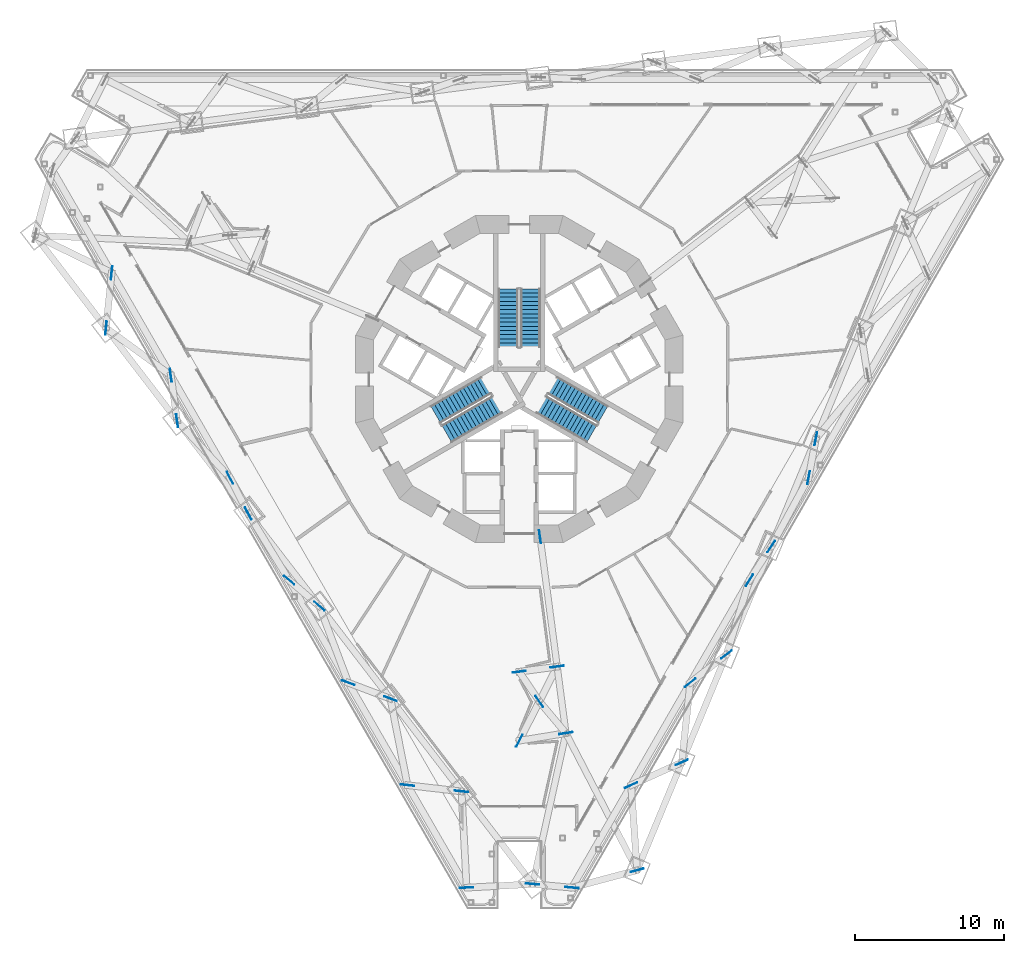
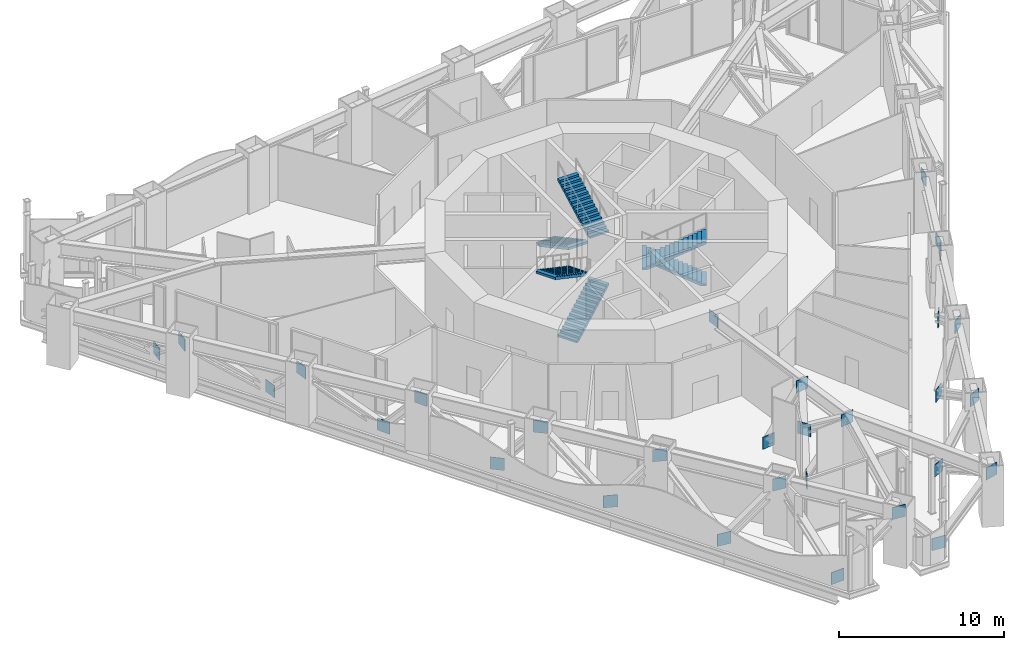
# One storey, part 17 of 28: 30 discrete accessories, 6 stair flights, 3 elements without a shape of their own.
"""IFC4 building model written with IfcOpenShell, lengths in metres."""

from ifc_helpers import new_model, si_unit, direction, frame, origin, origin_2d, place, context, subcontext, project, spatial, polyline, rectangle, outline, extrude, material, type_object, element, aggregate, save


model = new_model("IFC4")

# Units and contexts
model_context = context("Model", 3, precision=1e-05, world=origin(), true_north=direction((0.0, 1.0)))
body_context = subcontext(model_context, "Body", "Model", "MODEL_VIEW")
ifc_project = project(units=[si_unit("LENGTHUNIT", "METRE"), si_unit("AREAUNIT", "SQUARE_METRE"), si_unit("VOLUMEUNIT", "CUBIC_METRE"), si_unit("PLANEANGLEUNIT", "RADIAN"), si_unit("MASSUNIT", "GRAM", prefix="KILO")], contexts=[model_context])

# Site, building, storey
site_placement = place(None, origin())
site = spatial("IfcSite", under=ifc_project, at=site_placement, CompositionType="ELEMENT")
building_placement = place(site_placement, origin())
building = spatial("IfcBuilding", under=site, at=building_placement, Name="Trine Commons Tower", CompositionType="ELEMENT")
storey_placement = place(building_placement, frame((0.0, 0.0, 45.89990234375)))
storey = spatial("IfcBuildingStorey", under=building, at=storey_placement, Name="L10", CompositionType="ELEMENT", Elevation=45.89990234375)

# Stair, stair flights
ifc_material_1 = material(Name="Concrete C50/60", Category="concrete")
stair_type = type_object("IfcStairType", Name="Exit stair, dog-leg, 30 risers of 150 mm", PredefinedType="HALF_TURN_STAIR", material=ifc_material_1)
stair_1_placement = place(storey_placement, origin())
stair_1 = element("IfcStair", 1, at=stair_1_placement, inside=storey, type_object=stair_type, Name="L10 Exit stair ST1A", PredefinedType="HALF_TURN_STAIR")
stair_flight_type = type_object("IfcStairFlightType", Name="Stair flight, 1350 wide, 15 risers of 150 mm", PredefinedType="STRAIGHT", material=ifc_material_1)
stair_flight_1_placement = place(storey_placement, frame((79.25, 68.570556640625, 0.0), z_axis=(0.0, 0.0, 1.0), x_axis=(0.0, -1.0, 0.0)))
stair_flight_1 = element("IfcStairFlight", 2, at=stair_flight_1_placement, type_object=stair_flight_type, Name="ST1A flight 1", NumberOfRisers=15, NumberOfTreads=14, PredefinedType="STRAIGHT", RiserHeight=0.15, TreadLength=0.28, context=body_context, shape_type="SweptSolid", body=[
    extrude(outline(polyline([(0.0, 0.0), (0.0, 0.14990234375), (0.280029296875, 0.14990234375), (0.280029296875, 0.300048828125), (0.56005859375, 0.300048828125), (0.56005859375, 0.449951171875), (0.840087890625, 0.449951171875), (0.840087890625, 0.60009765625), (1.1201171875, 0.60009765625), (1.1201171875, 0.75), (1.39990234375, 0.75), (1.39990234375, 0.89990234375), (1.679931640625, 0.89990234375), (1.679931640625, 1.050048828125), (1.9599609375, 1.050048828125), (1.9599609375, 1.199951171875), (2.239990234375, 1.199951171875), (2.239990234375, 1.35009765625), (2.52001953125, 1.35009765625), (2.52001953125, 1.5), (2.800048828125, 1.5), (2.800048828125, 1.64990234375), (3.080078125, 1.64990234375), (3.080078125, 1.800048828125), (3.360107421875, 1.800048828125), (3.360107421875, 1.949951171875), (3.639892578125, 1.949951171875), (3.639892578125, 2.10009765625), (3.919921875, 2.10009765625), (3.919921875, 2.25), (3.919921875, 1.929931640625), (0.3173828125, 0.0), (0.0, 0.0)])), frame((0.0, 0.675048828125, 0.0), z_axis=(0.0, -1.0, 0.0), x_axis=(1.0, 0.0, 0.0)), (0.0, 0.0, 1.0), 1.35009765625),
])
stair_flight_2_placement = place(storey_placement, frame((80.75, 64.650634765625, 2.25), z_axis=(0.0, 0.0, 1.0), x_axis=(0.0, 1.0, 0.0)))
stair_flight_2 = element("IfcStairFlight", 3, at=stair_flight_2_placement, type_object=stair_flight_type, Name="ST1A flight 2", NumberOfRisers=15, NumberOfTreads=14, PredefinedType="STRAIGHT", RiserHeight=0.15, TreadLength=0.28, context=body_context, shape_type="SweptSolid", body=[
    extrude(outline(polyline([(0.0, 0.0), (0.0, 0.14990234375), (0.280029296875, 0.14990234375), (0.280029296875, 0.300048828125), (0.56005859375, 0.300048828125), (0.56005859375, 0.449951171875), (0.840087890625, 0.449951171875), (0.840087890625, 0.60009765625), (1.1201171875, 0.60009765625), (1.1201171875, 0.75), (1.39990234375, 0.75), (1.39990234375, 0.89990234375), (1.679931640625, 0.89990234375), (1.679931640625, 1.050048828125), (1.9599609375, 1.050048828125), (1.9599609375, 1.199951171875), (2.239990234375, 1.199951171875), (2.239990234375, 1.35009765625), (2.52001953125, 1.35009765625), (2.52001953125, 1.5), (2.800048828125, 1.5), (2.800048828125, 1.64990234375), (3.080078125, 1.64990234375), (3.080078125, 1.800048828125), (3.360107421875, 1.800048828125), (3.360107421875, 1.949951171875), (3.639892578125, 1.949951171875), (3.639892578125, 2.10009765625), (3.919921875, 2.10009765625), (3.919921875, 2.25), (3.919921875, 1.929931640625), (0.3173828125, 0.0), (0.0, 0.0)])), frame((0.0, 0.675048828125, 0.0), z_axis=(0.0, -1.0, 0.0), x_axis=(1.0, 0.0, 0.0)), (0.0, 0.0, 1.0), 1.35009765625),
])
aggregate(stair_1, [stair_flight_1, stair_flight_2])

stair_2_placement = place(storey_placement, origin())
stair_2 = element("IfcStair", 4, at=stair_2_placement, inside=storey, type_object=stair_type, Name="L10 Exit stair ST2A", PredefinedType="HALF_TURN_STAIR")
stair_flight_3_placement = place(storey_placement, frame((75.11767578125, 58.815185546875, 0.0), z_axis=(0.0, 0.0, 1.0), x_axis=(0.866025403784, 0.5, 0.0)))
stair_flight_3 = element("IfcStairFlight", 5, at=stair_flight_3_placement, type_object=stair_flight_type, Name="ST2A flight 1", NumberOfRisers=15, NumberOfTreads=14, PredefinedType="STRAIGHT", RiserHeight=0.15, TreadLength=0.28, context=body_context, shape_type="SweptSolid", body=[
    extrude(outline(polyline([(0.0, 0.0), (0.0, 0.14990234375), (0.280029296875, 0.14990234375), (0.280029296875, 0.300048828125), (0.56005859375, 0.300048828125), (0.56005859375, 0.449951171875), (0.840087890625, 0.449951171875), (0.840087890625, 0.60009765625), (1.1201171875, 0.60009765625), (1.1201171875, 0.75), (1.39990234375, 0.75), (1.39990234375, 0.89990234375), (1.679931640625, 0.89990234375), (1.679931640625, 1.050048828125), (1.9599609375, 1.050048828125), (1.9599609375, 1.199951171875), (2.239990234375, 1.199951171875), (2.239990234375, 1.35009765625), (2.52001953125, 1.35009765625), (2.52001953125, 1.5), (2.800048828125, 1.5), (2.800048828125, 1.64990234375), (3.080078125, 1.64990234375), (3.080078125, 1.800048828125), (3.360107421875, 1.800048828125), (3.360107421875, 1.949951171875), (3.639892578125, 1.949951171875), (3.639892578125, 2.10009765625), (3.919921875, 2.10009765625), (3.919921875, 2.25), (3.919921875, 1.929931640625), (0.3173828125, 0.0), (0.0, 0.0)])), frame((0.0, 0.675048828125, 0.0), z_axis=(0.0, -1.0, 0.0), x_axis=(1.0, 0.0, 0.0)), (0.0, 0.0, 1.0), 1.35009765625),
])
stair_flight_4_placement = place(storey_placement, frame((77.762451171875, 62.07421875, 2.25), z_axis=(0.0, 0.0, 1.0), x_axis=(-0.866025403784, -0.5, 0.0)))
stair_flight_4 = element("IfcStairFlight", 6, at=stair_flight_4_placement, type_object=stair_flight_type, Name="ST2A flight 2", NumberOfRisers=15, NumberOfTreads=14, PredefinedType="STRAIGHT", RiserHeight=0.15, TreadLength=0.28, context=body_context, shape_type="SweptSolid", body=[
    extrude(outline(polyline([(0.0, 0.0), (0.0, 0.14990234375), (0.280029296875, 0.14990234375), (0.280029296875, 0.300048828125), (0.56005859375, 0.300048828125), (0.56005859375, 0.449951171875), (0.840087890625, 0.449951171875), (0.840087890625, 0.60009765625), (1.1201171875, 0.60009765625), (1.1201171875, 0.75), (1.39990234375, 0.75), (1.39990234375, 0.89990234375), (1.679931640625, 0.89990234375), (1.679931640625, 1.050048828125), (1.9599609375, 1.050048828125), (1.9599609375, 1.199951171875), (2.239990234375, 1.199951171875), (2.239990234375, 1.35009765625), (2.52001953125, 1.35009765625), (2.52001953125, 1.5), (2.800048828125, 1.5), (2.800048828125, 1.64990234375), (3.080078125, 1.64990234375), (3.080078125, 1.800048828125), (3.360107421875, 1.800048828125), (3.360107421875, 1.949951171875), (3.639892578125, 1.949951171875), (3.639892578125, 2.10009765625), (3.919921875, 2.10009765625), (3.919921875, 2.25), (3.919921875, 1.929931640625), (0.3173828125, 0.0), (0.0, 0.0)])), frame((0.0, 0.675048828125, 0.0), z_axis=(0.0, -1.0, 0.0), x_axis=(1.0, 0.0, 0.0)), (0.0, 0.0, 1.0), 1.35009765625),
])
aggregate(stair_2, [stair_flight_3, stair_flight_4])

stair_3_placement = place(storey_placement, origin())
stair_3 = element("IfcStair", 7, at=stair_3_placement, inside=storey, type_object=stair_type, Name="L10 Exit stair ST3A", PredefinedType="HALF_TURN_STAIR")
stair_flight_5_placement = place(storey_placement, frame((85.63232421875, 60.1142578125, 0.0), z_axis=(0.0, 0.0, 1.0), x_axis=(-0.866025403784, 0.5, 0.0)))
stair_flight_5 = element("IfcStairFlight", 8, at=stair_flight_5_placement, type_object=stair_flight_type, Name="ST3A flight 1", NumberOfRisers=15, NumberOfTreads=14, PredefinedType="STRAIGHT", RiserHeight=0.15, TreadLength=0.28, context=body_context, shape_type="SweptSolid", body=[
    extrude(outline(polyline([(0.0, 0.0), (0.0, 0.14990234375), (0.280029296875, 0.14990234375), (0.280029296875, 0.300048828125), (0.56005859375, 0.300048828125), (0.56005859375, 0.449951171875), (0.840087890625, 0.449951171875), (0.840087890625, 0.60009765625), (1.1201171875, 0.60009765625), (1.1201171875, 0.75), (1.39990234375, 0.75), (1.39990234375, 0.89990234375), (1.679931640625, 0.89990234375), (1.679931640625, 1.050048828125), (1.9599609375, 1.050048828125), (1.9599609375, 1.199951171875), (2.239990234375, 1.199951171875), (2.239990234375, 1.35009765625), (2.52001953125, 1.35009765625), (2.52001953125, 1.5), (2.800048828125, 1.5), (2.800048828125, 1.64990234375), (3.080078125, 1.64990234375), (3.080078125, 1.800048828125), (3.360107421875, 1.800048828125), (3.360107421875, 1.949951171875), (3.639892578125, 1.949951171875), (3.639892578125, 2.10009765625), (3.919921875, 2.10009765625), (3.919921875, 2.25), (3.919921875, 1.929931640625), (0.3173828125, 0.0), (0.0, 0.0)])), frame((0.0, 0.675048828125, 0.0), z_axis=(0.0, -1.0, 0.0), x_axis=(1.0, 0.0, 0.0)), (0.0, 0.0, 1.0), 1.35009765625),
])
stair_flight_6_placement = place(storey_placement, frame((81.487548828125, 60.775146484375, 2.25), z_axis=(0.0, 0.0, 1.0), x_axis=(0.866025403784, -0.5, 0.0)))
stair_flight_6 = element("IfcStairFlight", 9, at=stair_flight_6_placement, type_object=stair_flight_type, Name="ST3A flight 2", NumberOfRisers=15, NumberOfTreads=14, PredefinedType="STRAIGHT", RiserHeight=0.15, TreadLength=0.28, context=body_context, shape_type="SweptSolid", body=[
    extrude(outline(polyline([(0.0, 0.0), (0.0, 0.14990234375), (0.280029296875, 0.14990234375), (0.280029296875, 0.300048828125), (0.56005859375, 0.300048828125), (0.56005859375, 0.449951171875), (0.840087890625, 0.449951171875), (0.840087890625, 0.60009765625), (1.1201171875, 0.60009765625), (1.1201171875, 0.75), (1.39990234375, 0.75), (1.39990234375, 0.89990234375), (1.679931640625, 0.89990234375), (1.679931640625, 1.050048828125), (1.9599609375, 1.050048828125), (1.9599609375, 1.199951171875), (2.239990234375, 1.199951171875), (2.239990234375, 1.35009765625), (2.52001953125, 1.35009765625), (2.52001953125, 1.5), (2.800048828125, 1.5), (2.800048828125, 1.64990234375), (3.080078125, 1.64990234375), (3.080078125, 1.800048828125), (3.360107421875, 1.800048828125), (3.360107421875, 1.949951171875), (3.639892578125, 1.949951171875), (3.639892578125, 2.10009765625), (3.919921875, 2.10009765625), (3.919921875, 2.25), (3.919921875, 1.929931640625), (0.3173828125, 0.0), (0.0, 0.0)])), frame((0.0, 0.675048828125, 0.0), z_axis=(0.0, -1.0, 0.0), x_axis=(1.0, 0.0, 0.0)), (0.0, 0.0, 1.0), 1.35009765625),
])
aggregate(stair_3, [stair_flight_5, stair_flight_6])

# Discrete accessories
ifc_material_2 = material(Name="Structural steel ASTM A572 Gr50", Category="steel")
for number, where, z_axis, x_axis, name in (
    (10, (52.5654296875, 69.64892578125, 0.07080078125), (0.0, 0.0, 1.0), (-0.100830563311, -0.994903612167, 0.0), "Gusset plate GP1-03"),
    (11, (56.547119140625, 62.75244140625, 0.07080078125), (0.0, 0.0, 1.0), (0.138084160436, -0.990420498898, 0.0), "Gusset plate GP1-04"),
    (12, (60.52880859375, 55.85595703125, 0.07080078125), (0.0, 0.0, 1.0), (0.456259468988, -0.889846782856, 0.0), "Gusset plate GP1-07"),
    (13, (64.510498046875, 48.95947265625, 0.07080078125), (0.0, 0.0, 1.0), (0.760054469108, -0.649859372472, 0.0), "Gusset plate GP1-09"),
    (14, (68.4921875, 42.06298828125, 0.07080078125), (0.0, 0.0, 1.0), (0.934757483526, -0.355286429508, 0.0), "Gusset plate GP1-11"),
    (15, (72.473876953125, 35.16650390625, 0.07080078125), (0.0, 0.0, 1.0), (0.993472688925, -0.114070225565, 0.0), "Gusset plate GP1-12"),
    (16, (76.45556640625, 28.27001953125, 0.07080078125), (0.0, 0.0, 1.0), (0.998516782337, 0.054444792149, 0.0), "Gusset plate GP1-14"),
    (17, (80.0, 38.162109375, 0.07080078125), (0.0, 0.0, 1.0), (0.455342912631, 0.890316141557, 0.0), "Gusset plate GP1-15"),
    (18, (80.0, 42.802978515625, 0.07080078125), (0.0, 0.0, 1.0), (0.991134564486, 0.13286186466, 0.0), "Gusset plate GP1-16"),
    (19, (83.54443359375, 28.27001953125, 0.07080078125), (0.0, 0.0, 1.0), (-0.995830440819, 0.091223533904, 0.0), "Gusset plate GP1-17"),
    (20, (87.526123046875, 35.16650390625, 0.07080078125), (0.0, 0.0, 1.0), (0.912027084109, 0.410129976778, 0.0), "Gusset plate GP1-19"),
    (21, (91.5078125, 42.06298828125, 0.07080078125), (0.0, 0.0, 1.0), (0.788687232256, 0.614794640247, 0.0), "Gusset plate GP1-20"),
    (22, (95.489501953125, 48.95947265625, 0.07080078125), (0.0, 0.0, 1.0), (0.542544169404, 0.840027275894, 0.0), "Gusset plate GP1-22"),
    (23, (99.47119140625, 55.85595703125, 0.07080078125), (0.0, 0.0, 1.0), (0.182767490894, 0.983156164743, 0.0), "Gusset plate GP1-24"),
    (24, (81.35009765625, 40.8017578125, 1.704345703125), (0.0, 0.0, 1.0), (0.55923631101, -0.829008292147, 0.0), "Gusset plate GP1-32"),
    (25, (52.1884765625, 65.92919921875, 3.154052734375), (0.0, 0.0, 1.0), (-0.100830563311, -0.994903612167, 0.0), "Gusset plate GP1-36"),
    (26, (56.9736328125, 59.693115234375, 3.154052734375), (0.0, 0.0, 1.0), (0.138084160436, -0.990420498898, 0.0), "Gusset plate GP1-37"),
    (27, (61.7587890625, 53.45703125, 3.154052734375), (0.0, 0.0, 1.0), (0.456259468988, -0.889846782856, 0.0), "Gusset plate GP1-40"),
    (28, (66.5439453125, 47.220703125, 3.154052734375), (0.0, 0.0, 1.0), (0.760054469108, -0.649859372472, 0.0), "Gusset plate GP1-43"),
    (29, (71.3291015625, 40.984619140625, 3.154052734375), (0.0, 0.0, 1.0), (0.934757483526, -0.355286429508, 0.0), "Gusset plate GP1-45"),
    (30, (76.1142578125, 34.74853515625, 3.154052734375), (0.0, 0.0, 1.0), (0.993472688925, -0.114070225565, 0.0), "Gusset plate GP1-47"),
    (31, (80.8994140625, 28.51220703125, 3.154052734375), (0.0, 0.0, 1.0), (-0.995830440819, 0.091223533904, 0.0), "Gusset plate GP1-48"),
    (32, (81.3974609375, 51.885009765625, 3.154052734375), (0.0, 0.0, 1.0), (0.13052619222, -0.991444861374, 0.0), "Gusset plate GP1-50"),
    (33, (82.548095703125, 43.14453125, 3.154052734375), (0.0, 0.0, 1.0), (0.991134564486, 0.13286186466, 0.0), "Gusset plate GP1-51"),
    (34, (83.1376953125, 38.6669921875, 3.154052734375), (0.0, 0.0, 1.0), (0.987300378413, 0.158864605203, 0.0), "Gusset plate GP1-52"),
    (35, (87.927734375, 29.4375, 3.154052734375), (0.0, 0.0, 1.0), (0.966304236621, 0.257402646236, 0.0), "Gusset plate GP1-53"),
    (36, (90.935791015625, 36.69970703125, 3.154052734375), (0.0, 0.0, 1.0), (0.912027084109, 0.410129976778, 0.0), "Gusset plate GP1-56"),
    (37, (93.944091796875, 43.9619140625, 3.154052734375), (0.0, 0.0, 1.0), (0.788687232256, 0.614794640247, 0.0), "Gusset plate GP1-57"),
    (38, (96.9521484375, 51.22412109375, 3.154052734375), (0.0, 0.0, 1.0), (0.542544169404, 0.840027275894, 0.0), "Gusset plate GP1-60"),
    (39, (99.960205078125, 58.486328125, 3.154052734375), (0.0, 0.0, 1.0), (0.182767490894, 0.983156164743, 0.0), "Gusset plate GP1-62"),
):
    element("IfcDiscreteAccessory", number, at=place(storey_placement, frame(where, z_axis=z_axis, x_axis=x_axis)), inside=storey, material=ifc_material_2, Name=name, PredefinedType="BRACKET", context=body_context, shape_type="SweptSolid", body=[
        extrude(rectangle(XDim=0.89990234375, YDim=0.0400390625, at=origin_2d()), origin(), (0.0, 0.0, 1.0), 0.89990234375),
    ])

save(model, "model.ifc")
